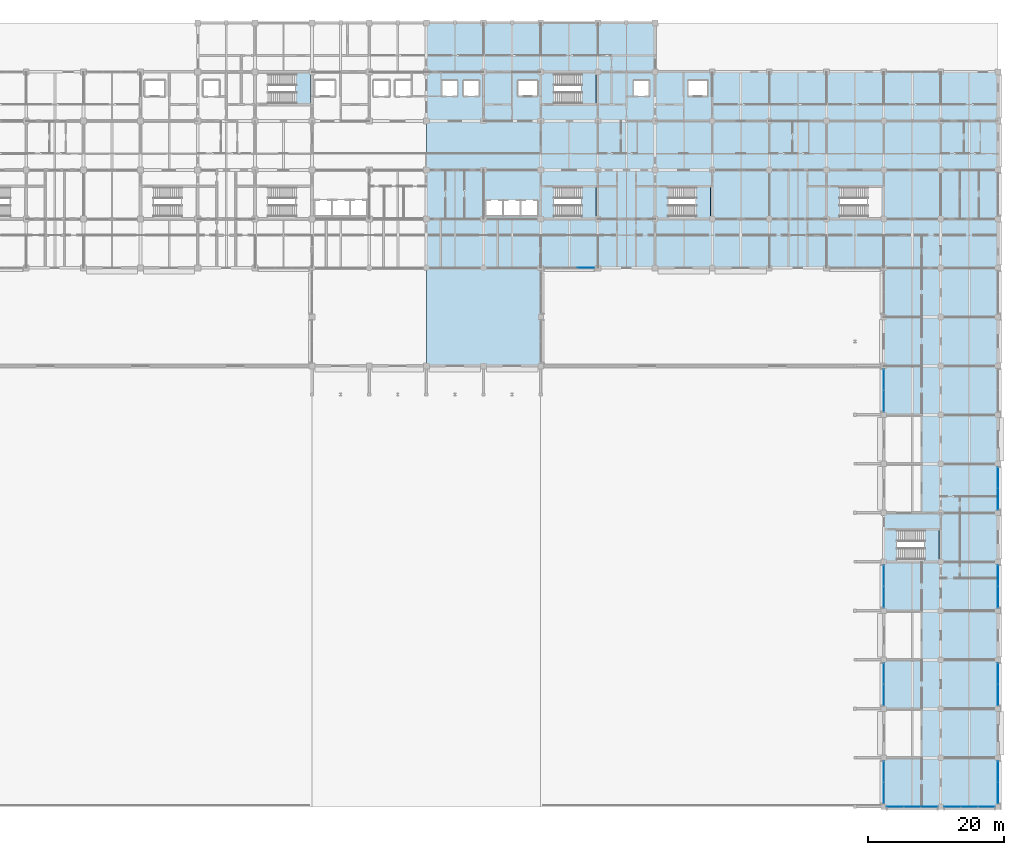
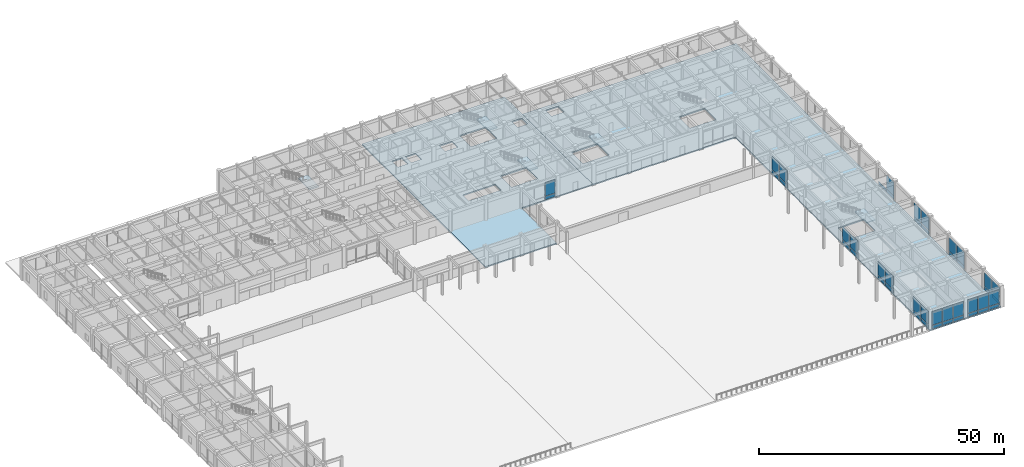
# One storey, part 35 of 73: 45 plates, 7 slabs, 16 elements without a shape of their own.
"""IFC4 building model written with IfcOpenShell, lengths in metres."""

from ifc_helpers import new_model, si_unit, direction, frame, origin, origin_2d, place, context, subcontext, project, spatial, polyline, rectangle, outline, extrude, material, layer, layer_set, type_object, element, aggregate, save


model = new_model("IFC4")

# Units and contexts
model_context = context("Model", 3, precision=1e-05, world=origin(), true_north=direction((0.0, 1.0)))
body_context = subcontext(model_context, "Body", "Model", "MODEL_VIEW")
ifc_project = project(units=[si_unit("LENGTHUNIT", "METRE"), si_unit("AREAUNIT", "SQUARE_METRE"), si_unit("VOLUMEUNIT", "CUBIC_METRE"), si_unit("PLANEANGLEUNIT", "RADIAN"), si_unit("MASSUNIT", "GRAM", prefix="KILO")], contexts=[model_context])

# Site, building, storey
site_placement = place(None, origin())
site = spatial("IfcSite", under=ifc_project, at=site_placement, CompositionType="ELEMENT")
building_placement = place(site_placement, origin())
building = spatial("IfcBuilding", under=site, at=building_placement, Name="Chengyuan Square Courthouse", CompositionType="ELEMENT")
storey_placement = place(building_placement, origin())
storey = spatial("IfcBuildingStorey", under=building, at=storey_placement, Name="L01", CompositionType="ELEMENT", Elevation=0.0)

# Curtain wall, plates
ifc_material_1 = material(Name="Unitised Aluminium and Triple Low-E Glass", Category="aluminium")
ifc_layer_1 = layer(ifc_material_1, 0.159912109375)
ifc_layer_set_1 = layer_set([ifc_layer_1], Name="Unitised Aluminium and Triple Low-E Glass")
curtain_wall_type_1 = type_object("IfcCurtainWallType", Name="CW-01", PredefinedType="USERDEFINED", material=ifc_layer_set_1)
curtain_wall_1_placement = place(storey_placement, origin())
curtain_wall_1 = element("IfcCurtainWall", 1, at=curtain_wall_1_placement, inside=storey, type_object=curtain_wall_type_1, Name="Unitised Curtain Wall CW-L01-024", ObjectType="UNITISED CURTAIN WALL", PredefinedType="USERDEFINED")
ifc_material_2 = material(Name="Triple Low-E Insulating Glass", Category="glass")
ifc_layer_2 = layer(ifc_material_2, 0.02392578125)
ifc_layer_set_2 = layer_set([ifc_layer_2], Name="Triple Low-E Insulating Glass")
plate_type_1 = type_object("IfcPlateType", Name="CWP-01", PredefinedType="CURTAIN_PANEL", material=ifc_layer_set_2)
plate_1_placement = place(storey_placement, frame((107.485107421875, 79.199951171875, 0.06005859375), z_axis=(0.0, 0.0, 1.0), x_axis=(1.0, 0.0, 0.0)))
plate_1 = element("IfcPlate", 2, at=plate_1_placement, type_object=plate_type_1, Name="CW-01 panel 3.1", PredefinedType="CURTAIN_PANEL", context=body_context, shape_type="SweptSolid", body=[
    extrude(rectangle(XDim=2.409912109375, YDim=0.02392578125, at=origin_2d()), origin(), (0.0, 0.0, 1.0), 0.860107421875),
])
plate_2_placement = place(storey_placement, frame((107.485107421875, 79.199951171875, 0.97998046875), z_axis=(0.0, 0.0, 1.0), x_axis=(1.0, 0.0, 0.0)))
plate_2 = element("IfcPlate", 3, at=plate_2_placement, type_object=plate_type_1, Name="CW-01 panel 3.2", PredefinedType="CURTAIN_PANEL", context=body_context, shape_type="SweptSolid", body=[
    extrude(rectangle(XDim=2.409912109375, YDim=0.02392578125, at=origin_2d()), origin(), (0.0, 0.0, 1.0), 3.429931640625),
])
aggregate(curtain_wall_1, [plate_1, plate_2])

curtain_wall_2_placement = place(storey_placement, origin())
curtain_wall_2 = element("IfcCurtainWall", 4, at=curtain_wall_2_placement, inside=storey, type_object=curtain_wall_type_1, Name="Unitised Curtain Wall CW-L01-028", ObjectType="UNITISED CURTAIN WALL", PredefinedType="USERDEFINED")
plate_3_placement = place(storey_placement, frame((152.8984375, 0.0, 0.06005859375), z_axis=(0.0, 0.0, 1.0), x_axis=(1.0, 0.0, 0.0)))
plate_3 = element("IfcPlate", 5, at=plate_3_placement, type_object=plate_type_1, Name="CW-01 panel 1.1", PredefinedType="CURTAIN_PANEL", context=body_context, shape_type="SweptSolid", body=[
    extrude(rectangle(XDim=2.4267578125, YDim=0.02392578125, at=origin_2d()), origin(), (0.0, 0.0, 1.0), 0.860107421875),
])
plate_4_placement = place(storey_placement, frame((152.8984375, 0.0, 0.97998046875), z_axis=(0.0, 0.0, 1.0), x_axis=(1.0, 0.0, 0.0)))
plate_4 = element("IfcPlate", 6, at=plate_4_placement, type_object=plate_type_1, Name="CW-01 panel 1.2", PredefinedType="CURTAIN_PANEL", context=body_context, shape_type="SweptSolid", body=[
    extrude(rectangle(XDim=2.4267578125, YDim=0.02392578125, at=origin_2d()), origin(), (0.0, 0.0, 1.0), 3.429931640625),
])
plate_5_placement = place(storey_placement, frame((155.39990234375, 0.0, 0.06005859375), z_axis=(0.0, 0.0, 1.0), x_axis=(1.0, 0.0, 0.0)))
plate_5 = element("IfcPlate", 7, at=plate_5_placement, type_object=plate_type_1, Name="CW-01 panel 2.1", PredefinedType="CURTAIN_PANEL", context=body_context, shape_type="SweptSolid", body=[
    extrude(rectangle(XDim=2.456787109375, YDim=0.02392578125, at=origin_2d()), origin(), (0.0, 0.0, 1.0), 0.860107421875),
])
plate_6_placement = place(storey_placement, frame((155.39990234375, 0.0, 0.97998046875), z_axis=(0.0, 0.0, 1.0), x_axis=(1.0, 0.0, 0.0)))
plate_6 = element("IfcPlate", 8, at=plate_6_placement, type_object=plate_type_1, Name="CW-01 panel 2.2", PredefinedType="CURTAIN_PANEL", context=body_context, shape_type="SweptSolid", body=[
    extrude(rectangle(XDim=2.456787109375, YDim=0.02392578125, at=origin_2d()), origin(), (0.0, 0.0, 1.0), 3.429931640625),
])
plate_7_placement = place(storey_placement, frame((157.901611328125, 0.0, 0.06005859375), z_axis=(0.0, 0.0, 1.0), x_axis=(1.0, 0.0, 0.0)))
plate_7 = element("IfcPlate", 9, at=plate_7_placement, type_object=plate_type_1, Name="CW-01 panel 3.1", PredefinedType="CURTAIN_PANEL", context=body_context, shape_type="SweptSolid", body=[
    extrude(rectangle(XDim=2.4267578125, YDim=0.02392578125, at=origin_2d()), origin(), (0.0, 0.0, 1.0), 0.860107421875),
])
plate_8_placement = place(storey_placement, frame((157.901611328125, 0.0, 0.97998046875), z_axis=(0.0, 0.0, 1.0), x_axis=(1.0, 0.0, 0.0)))
plate_8 = element("IfcPlate", 10, at=plate_8_placement, type_object=plate_type_1, Name="CW-01 panel 3.2", PredefinedType="CURTAIN_PANEL", context=body_context, shape_type="SweptSolid", body=[
    extrude(rectangle(XDim=2.4267578125, YDim=0.02392578125, at=origin_2d()), origin(), (0.0, 0.0, 1.0), 3.429931640625),
])
aggregate(curtain_wall_2, [plate_3, plate_4, plate_5, plate_6, plate_7, plate_8])

curtain_wall_3_placement = place(storey_placement, origin())
curtain_wall_3 = element("IfcCurtainWall", 11, at=curtain_wall_3_placement, inside=storey, type_object=curtain_wall_type_1, Name="Unitised Curtain Wall CW-L01-035", ObjectType="UNITISED CURTAIN WALL", PredefinedType="USERDEFINED")
plate_9_placement = place(storey_placement, frame((161.29833984375, 0.0, 0.06005859375), z_axis=(0.0, 0.0, 1.0), x_axis=(1.0, 0.0, 0.0)))
plate_9 = element("IfcPlate", 12, at=plate_9_placement, type_object=plate_type_1, Name="CW-01 panel 1.1", PredefinedType="CURTAIN_PANEL", context=body_context, shape_type="SweptSolid", body=[
    extrude(rectangle(XDim=2.4267578125, YDim=0.02392578125, at=origin_2d()), origin(), (0.0, 0.0, 1.0), 0.860107421875),
])
plate_10_placement = place(storey_placement, frame((161.29833984375, 0.0, 0.97998046875), z_axis=(0.0, 0.0, 1.0), x_axis=(1.0, 0.0, 0.0)))
plate_10 = element("IfcPlate", 13, at=plate_10_placement, type_object=plate_type_1, Name="CW-01 panel 1.2", PredefinedType="CURTAIN_PANEL", context=body_context, shape_type="SweptSolid", body=[
    extrude(rectangle(XDim=2.4267578125, YDim=0.02392578125, at=origin_2d()), origin(), (0.0, 0.0, 1.0), 3.429931640625),
])
plate_11_placement = place(storey_placement, frame((163.800048828125, 0.0, 0.06005859375), z_axis=(0.0, 0.0, 1.0), x_axis=(1.0, 0.0, 0.0)))
plate_11 = element("IfcPlate", 14, at=plate_11_placement, type_object=plate_type_1, Name="CW-01 panel 2.1", PredefinedType="CURTAIN_PANEL", context=body_context, shape_type="SweptSolid", body=[
    extrude(rectangle(XDim=2.456787109375, YDim=0.02392578125, at=origin_2d()), origin(), (0.0, 0.0, 1.0), 0.860107421875),
])
plate_12_placement = place(storey_placement, frame((163.800048828125, 0.0, 0.97998046875), z_axis=(0.0, 0.0, 1.0), x_axis=(1.0, 0.0, 0.0)))
plate_12 = element("IfcPlate", 15, at=plate_12_placement, type_object=plate_type_1, Name="CW-01 panel 2.2", PredefinedType="CURTAIN_PANEL", context=body_context, shape_type="SweptSolid", body=[
    extrude(rectangle(XDim=2.456787109375, YDim=0.02392578125, at=origin_2d()), origin(), (0.0, 0.0, 1.0), 3.429931640625),
])
plate_13_placement = place(storey_placement, frame((166.3017578125, 0.0, 0.06005859375), z_axis=(0.0, 0.0, 1.0), x_axis=(1.0, 0.0, 0.0)))
plate_13 = element("IfcPlate", 16, at=plate_13_placement, type_object=plate_type_1, Name="CW-01 panel 3.1", PredefinedType="CURTAIN_PANEL", context=body_context, shape_type="SweptSolid", body=[
    extrude(rectangle(XDim=2.4267578125, YDim=0.02392578125, at=origin_2d()), origin(), (0.0, 0.0, 1.0), 0.860107421875),
])
plate_14_placement = place(storey_placement, frame((166.3017578125, 0.0, 0.97998046875), z_axis=(0.0, 0.0, 1.0), x_axis=(1.0, 0.0, 0.0)))
plate_14 = element("IfcPlate", 17, at=plate_14_placement, type_object=plate_type_1, Name="CW-01 panel 3.2", PredefinedType="CURTAIN_PANEL", context=body_context, shape_type="SweptSolid", body=[
    extrude(rectangle(XDim=2.4267578125, YDim=0.02392578125, at=origin_2d()), origin(), (0.0, 0.0, 1.0), 3.429931640625),
])
aggregate(curtain_wall_3, [plate_9, plate_10, plate_11, plate_12, plate_13, plate_14])

ifc_layer_3 = layer(ifc_material_1, 0.179931640625)
ifc_layer_set_3 = layer_set([ifc_layer_3], Name="Unitised Aluminium and Triple Low-E Glass")
curtain_wall_type_2 = type_object("IfcCurtainWallType", Name="CW-14", PredefinedType="USERDEFINED", material=ifc_layer_set_3)
curtain_wall_4_placement = place(storey_placement, origin())
curtain_wall_4 = element("IfcCurtainWall", 18, at=curtain_wall_4_placement, inside=storey, type_object=curtain_wall_type_2, Name="Unitised Curtain Wall CW-L01-029", ObjectType="UNITISED CURTAIN WALL", PredefinedType="USERDEFINED")
ifc_layer_4 = layer(ifc_material_2, 0.031982421875)
ifc_layer_set_4 = layer_set([ifc_layer_4], Name="Triple Low-E Insulating Glass")
plate_type_2 = type_object("IfcPlateType", Name="CWP-02", PredefinedType="CURTAIN_PANEL", material=ifc_layer_set_4)
plate_15_placement = place(storey_placement, frame((151.199951171875, 2.02880859375, 0.06494140625), z_axis=(0.0, 0.0, 1.0), x_axis=(0.0, 1.0, 0.0)))
plate_15 = element("IfcPlate", 19, at=plate_15_placement, type_object=plate_type_2, Name="CW-14 panel 1.1", PredefinedType="CURTAIN_PANEL", context=body_context, shape_type="SweptSolid", body=[
    extrude(rectangle(XDim=3.077392578125, YDim=0.031982421875, at=origin_2d()), origin(), (0.0, 0.0, 1.0), 0.8525390625),
])
plate_16_placement = place(storey_placement, frame((151.199951171875, 2.02880859375, 0.982421875), z_axis=(0.0, 0.0, 1.0), x_axis=(0.0, 1.0, 0.0)))
plate_16 = element("IfcPlate", 20, at=plate_16_placement, type_object=plate_type_2, Name="CW-14 panel 1.2", PredefinedType="CURTAIN_PANEL", context=body_context, shape_type="SweptSolid", body=[
    extrude(rectangle(XDim=3.077392578125, YDim=0.031982421875, at=origin_2d()), origin(), (0.0, 0.0, 1.0), 3.422607421875),
])
plate_17_placement = place(storey_placement, frame((151.199951171875, 5.171142578125, 0.06494140625), z_axis=(0.0, 0.0, 1.0), x_axis=(0.0, 1.0, 0.0)))
plate_17 = element("IfcPlate", 21, at=plate_17_placement, type_object=plate_type_2, Name="CW-14 panel 2.1", PredefinedType="CURTAIN_PANEL", context=body_context, shape_type="SweptSolid", body=[
    extrude(rectangle(XDim=3.077392578125, YDim=0.031982421875, at=origin_2d()), origin(), (0.0, 0.0, 1.0), 0.8525390625),
])
plate_18_placement = place(storey_placement, frame((151.199951171875, 5.171142578125, 0.982421875), z_axis=(0.0, 0.0, 1.0), x_axis=(0.0, 1.0, 0.0)))
plate_18 = element("IfcPlate", 22, at=plate_18_placement, type_object=plate_type_2, Name="CW-14 panel 2.2", PredefinedType="CURTAIN_PANEL", context=body_context, shape_type="SweptSolid", body=[
    extrude(rectangle(XDim=3.077392578125, YDim=0.031982421875, at=origin_2d()), origin(), (0.0, 0.0, 1.0), 3.422607421875),
])
aggregate(curtain_wall_4, [plate_15, plate_16, plate_17, plate_18])

curtain_wall_5_placement = place(storey_placement, origin())
curtain_wall_5 = element("IfcCurtainWall", 23, at=curtain_wall_5_placement, inside=storey, type_object=curtain_wall_type_2, Name="Unitised Curtain Wall CW-L01-030", ObjectType="UNITISED CURTAIN WALL", PredefinedType="USERDEFINED")
plate_19_placement = place(storey_placement, frame((151.199951171875, 16.4287109375, 0.06494140625), z_axis=(0.0, 0.0, 1.0), x_axis=(0.0, 1.0, 0.0)))
plate_19 = element("IfcPlate", 24, at=plate_19_placement, type_object=plate_type_2, Name="CW-14 panel 1.1", PredefinedType="CURTAIN_PANEL", context=body_context, shape_type="SweptSolid", body=[
    extrude(rectangle(XDim=3.077392578125, YDim=0.031982421875, at=origin_2d()), origin(), (0.0, 0.0, 1.0), 0.8525390625),
])
plate_20_placement = place(storey_placement, frame((151.199951171875, 16.4287109375, 0.982421875), z_axis=(0.0, 0.0, 1.0), x_axis=(0.0, 1.0, 0.0)))
plate_20 = element("IfcPlate", 25, at=plate_20_placement, type_object=plate_type_2, Name="CW-14 panel 1.2", PredefinedType="CURTAIN_PANEL", context=body_context, shape_type="SweptSolid", body=[
    extrude(rectangle(XDim=3.077392578125, YDim=0.031982421875, at=origin_2d()), origin(), (0.0, 0.0, 1.0), 3.422607421875),
])
plate_21_placement = place(storey_placement, frame((151.199951171875, 19.5712890625, 0.06494140625), z_axis=(0.0, 0.0, 1.0), x_axis=(0.0, 1.0, 0.0)))
plate_21 = element("IfcPlate", 26, at=plate_21_placement, type_object=plate_type_2, Name="CW-14 panel 2.1", PredefinedType="CURTAIN_PANEL", context=body_context, shape_type="SweptSolid", body=[
    extrude(rectangle(XDim=3.077392578125, YDim=0.031982421875, at=origin_2d()), origin(), (0.0, 0.0, 1.0), 0.8525390625),
])
plate_22_placement = place(storey_placement, frame((151.199951171875, 19.5712890625, 0.982421875), z_axis=(0.0, 0.0, 1.0), x_axis=(0.0, 1.0, 0.0)))
plate_22 = element("IfcPlate", 27, at=plate_22_placement, type_object=plate_type_2, Name="CW-14 panel 2.2", PredefinedType="CURTAIN_PANEL", context=body_context, shape_type="SweptSolid", body=[
    extrude(rectangle(XDim=3.077392578125, YDim=0.031982421875, at=origin_2d()), origin(), (0.0, 0.0, 1.0), 3.422607421875),
])
aggregate(curtain_wall_5, [plate_19, plate_20, plate_21, plate_22])

curtain_wall_6_placement = place(storey_placement, origin())
curtain_wall_6 = element("IfcCurtainWall", 28, at=curtain_wall_6_placement, inside=storey, type_object=curtain_wall_type_2, Name="Unitised Curtain Wall CW-L01-031", ObjectType="UNITISED CURTAIN WALL", PredefinedType="USERDEFINED")
plate_23_placement = place(storey_placement, frame((151.199951171875, 30.828857421875, 0.06494140625), z_axis=(0.0, 0.0, 1.0), x_axis=(0.0, 1.0, 0.0)))
plate_23 = element("IfcPlate", 29, at=plate_23_placement, type_object=plate_type_2, Name="CW-14 panel 1.1", PredefinedType="CURTAIN_PANEL", context=body_context, shape_type="SweptSolid", body=[
    extrude(rectangle(XDim=3.077392578125, YDim=0.031982421875, at=origin_2d()), origin(), (0.0, 0.0, 1.0), 0.8525390625),
])
plate_24_placement = place(storey_placement, frame((151.199951171875, 30.828857421875, 0.982421875), z_axis=(0.0, 0.0, 1.0), x_axis=(0.0, 1.0, 0.0)))
plate_24 = element("IfcPlate", 30, at=plate_24_placement, type_object=plate_type_2, Name="CW-14 panel 1.2", PredefinedType="CURTAIN_PANEL", context=body_context, shape_type="SweptSolid", body=[
    extrude(rectangle(XDim=3.077392578125, YDim=0.031982421875, at=origin_2d()), origin(), (0.0, 0.0, 1.0), 3.422607421875),
])
plate_25_placement = place(storey_placement, frame((151.199951171875, 33.97119140625, 0.06494140625), z_axis=(0.0, 0.0, 1.0), x_axis=(0.0, 1.0, 0.0)))
plate_25 = element("IfcPlate", 31, at=plate_25_placement, type_object=plate_type_2, Name="CW-14 panel 2.1", PredefinedType="CURTAIN_PANEL", context=body_context, shape_type="SweptSolid", body=[
    extrude(rectangle(XDim=3.077392578125, YDim=0.031982421875, at=origin_2d()), origin(), (0.0, 0.0, 1.0), 0.8525390625),
])
plate_26_placement = place(storey_placement, frame((151.199951171875, 33.97119140625, 0.982421875), z_axis=(0.0, 0.0, 1.0), x_axis=(0.0, 1.0, 0.0)))
plate_26 = element("IfcPlate", 32, at=plate_26_placement, type_object=plate_type_2, Name="CW-14 panel 2.2", PredefinedType="CURTAIN_PANEL", context=body_context, shape_type="SweptSolid", body=[
    extrude(rectangle(XDim=3.077392578125, YDim=0.031982421875, at=origin_2d()), origin(), (0.0, 0.0, 1.0), 3.422607421875),
])
aggregate(curtain_wall_6, [plate_23, plate_24, plate_25, plate_26])

curtain_wall_7_placement = place(storey_placement, origin())
curtain_wall_7 = element("IfcCurtainWall", 33, at=curtain_wall_7_placement, inside=storey, type_object=curtain_wall_type_2, Name="Unitised Curtain Wall CW-L01-032", ObjectType="UNITISED CURTAIN WALL", PredefinedType="USERDEFINED")
plate_27_placement = place(storey_placement, frame((151.199951171875, 59.628662109375, 0.06494140625), z_axis=(0.0, 0.0, 1.0), x_axis=(0.0, 1.0, 0.0)))
plate_27 = element("IfcPlate", 34, at=plate_27_placement, type_object=plate_type_2, Name="CW-14 panel 1.1", PredefinedType="CURTAIN_PANEL", context=body_context, shape_type="SweptSolid", body=[
    extrude(rectangle(XDim=3.077392578125, YDim=0.031982421875, at=origin_2d()), origin(), (0.0, 0.0, 1.0), 0.8525390625),
])
plate_28_placement = place(storey_placement, frame((151.199951171875, 59.628662109375, 0.982421875), z_axis=(0.0, 0.0, 1.0), x_axis=(0.0, 1.0, 0.0)))
plate_28 = element("IfcPlate", 35, at=plate_28_placement, type_object=plate_type_2, Name="CW-14 panel 1.2", PredefinedType="CURTAIN_PANEL", context=body_context, shape_type="SweptSolid", body=[
    extrude(rectangle(XDim=3.077392578125, YDim=0.031982421875, at=origin_2d()), origin(), (0.0, 0.0, 1.0), 3.422607421875),
])
plate_29_placement = place(storey_placement, frame((151.199951171875, 62.771240234375, 0.06494140625), z_axis=(0.0, 0.0, 1.0), x_axis=(0.0, 1.0, 0.0)))
plate_29 = element("IfcPlate", 36, at=plate_29_placement, type_object=plate_type_2, Name="CW-14 panel 2.1", PredefinedType="CURTAIN_PANEL", context=body_context, shape_type="SweptSolid", body=[
    extrude(rectangle(XDim=3.077392578125, YDim=0.031982421875, at=origin_2d()), origin(), (0.0, 0.0, 1.0), 0.8525390625),
])
plate_30_placement = place(storey_placement, frame((151.199951171875, 62.771240234375, 0.982421875), z_axis=(0.0, 0.0, 1.0), x_axis=(0.0, 1.0, 0.0)))
plate_30 = element("IfcPlate", 37, at=plate_30_placement, type_object=plate_type_2, Name="CW-14 panel 2.2", PredefinedType="CURTAIN_PANEL", context=body_context, shape_type="SweptSolid", body=[
    extrude(rectangle(XDim=3.077392578125, YDim=0.031982421875, at=origin_2d()), origin(), (0.0, 0.0, 1.0), 3.422607421875),
])
aggregate(curtain_wall_7, [plate_27, plate_28, plate_29, plate_30])

curtain_wall_8_placement = place(storey_placement, origin())
curtain_wall_8 = element("IfcCurtainWall", 38, at=curtain_wall_8_placement, inside=storey, type_object=curtain_wall_type_2, Name="Unitised Curtain Wall CW-L01-036", ObjectType="UNITISED CURTAIN WALL", PredefinedType="USERDEFINED")
plate_31_placement = place(storey_placement, frame((168.0, 2.02880859375, 0.06494140625), z_axis=(0.0, 0.0, 1.0), x_axis=(0.0, 1.0, 0.0)))
plate_31 = element("IfcPlate", 39, at=plate_31_placement, type_object=plate_type_2, Name="CW-14 panel 1.1", PredefinedType="CURTAIN_PANEL", context=body_context, shape_type="SweptSolid", body=[
    extrude(rectangle(XDim=3.077392578125, YDim=0.031982421875, at=origin_2d()), origin(), (0.0, 0.0, 1.0), 0.8525390625),
])
plate_32_placement = place(storey_placement, frame((168.0, 2.02880859375, 0.982421875), z_axis=(0.0, 0.0, 1.0), x_axis=(0.0, 1.0, 0.0)))
plate_32 = element("IfcPlate", 40, at=plate_32_placement, type_object=plate_type_2, Name="CW-14 panel 1.2", PredefinedType="CURTAIN_PANEL", context=body_context, shape_type="SweptSolid", body=[
    extrude(rectangle(XDim=3.077392578125, YDim=0.031982421875, at=origin_2d()), origin(), (0.0, 0.0, 1.0), 3.422607421875),
])
plate_33_placement = place(storey_placement, frame((168.0, 5.171142578125, 0.06494140625), z_axis=(0.0, 0.0, 1.0), x_axis=(0.0, 1.0, 0.0)))
plate_33 = element("IfcPlate", 41, at=plate_33_placement, type_object=plate_type_2, Name="CW-14 panel 2.1", PredefinedType="CURTAIN_PANEL", context=body_context, shape_type="SweptSolid", body=[
    extrude(rectangle(XDim=3.077392578125, YDim=0.031982421875, at=origin_2d()), origin(), (0.0, 0.0, 1.0), 0.8525390625),
])
plate_34_placement = place(storey_placement, frame((168.0, 5.171142578125, 0.982421875), z_axis=(0.0, 0.0, 1.0), x_axis=(0.0, 1.0, 0.0)))
plate_34 = element("IfcPlate", 42, at=plate_34_placement, type_object=plate_type_2, Name="CW-14 panel 2.2", PredefinedType="CURTAIN_PANEL", context=body_context, shape_type="SweptSolid", body=[
    extrude(rectangle(XDim=3.077392578125, YDim=0.031982421875, at=origin_2d()), origin(), (0.0, 0.0, 1.0), 3.422607421875),
])
aggregate(curtain_wall_8, [plate_31, plate_32, plate_33, plate_34])

curtain_wall_9_placement = place(storey_placement, origin())
curtain_wall_9 = element("IfcCurtainWall", 43, at=curtain_wall_9_placement, inside=storey, type_object=curtain_wall_type_2, Name="Unitised Curtain Wall CW-L01-037", ObjectType="UNITISED CURTAIN WALL", PredefinedType="USERDEFINED")
plate_35_placement = place(storey_placement, frame((168.0, 16.4287109375, 0.06494140625), z_axis=(0.0, 0.0, 1.0), x_axis=(0.0, 1.0, 0.0)))
plate_35 = element("IfcPlate", 44, at=plate_35_placement, type_object=plate_type_2, Name="CW-14 panel 1.1", PredefinedType="CURTAIN_PANEL", context=body_context, shape_type="SweptSolid", body=[
    extrude(rectangle(XDim=3.077392578125, YDim=0.031982421875, at=origin_2d()), origin(), (0.0, 0.0, 1.0), 0.8525390625),
])
plate_36_placement = place(storey_placement, frame((168.0, 16.4287109375, 0.982421875), z_axis=(0.0, 0.0, 1.0), x_axis=(0.0, 1.0, 0.0)))
plate_36 = element("IfcPlate", 45, at=plate_36_placement, type_object=plate_type_2, Name="CW-14 panel 1.2", PredefinedType="CURTAIN_PANEL", context=body_context, shape_type="SweptSolid", body=[
    extrude(rectangle(XDim=3.077392578125, YDim=0.031982421875, at=origin_2d()), origin(), (0.0, 0.0, 1.0), 3.422607421875),
])
plate_37_placement = place(storey_placement, frame((168.0, 19.5712890625, 0.06494140625), z_axis=(0.0, 0.0, 1.0), x_axis=(0.0, 1.0, 0.0)))
plate_37 = element("IfcPlate", 46, at=plate_37_placement, type_object=plate_type_2, Name="CW-14 panel 2.1", PredefinedType="CURTAIN_PANEL", context=body_context, shape_type="SweptSolid", body=[
    extrude(rectangle(XDim=3.077392578125, YDim=0.031982421875, at=origin_2d()), origin(), (0.0, 0.0, 1.0), 0.8525390625),
])
plate_38_placement = place(storey_placement, frame((168.0, 19.5712890625, 0.982421875), z_axis=(0.0, 0.0, 1.0), x_axis=(0.0, 1.0, 0.0)))
plate_38 = element("IfcPlate", 47, at=plate_38_placement, type_object=plate_type_2, Name="CW-14 panel 2.2", PredefinedType="CURTAIN_PANEL", context=body_context, shape_type="SweptSolid", body=[
    extrude(rectangle(XDim=3.077392578125, YDim=0.031982421875, at=origin_2d()), origin(), (0.0, 0.0, 1.0), 3.422607421875),
])
aggregate(curtain_wall_9, [plate_35, plate_36, plate_37, plate_38])

curtain_wall_10_placement = place(storey_placement, origin())
curtain_wall_10 = element("IfcCurtainWall", 48, at=curtain_wall_10_placement, inside=storey, type_object=curtain_wall_type_2, Name="Unitised Curtain Wall CW-L01-038", ObjectType="UNITISED CURTAIN WALL", PredefinedType="USERDEFINED")
plate_39_placement = place(storey_placement, frame((168.0, 30.828857421875, 0.06494140625), z_axis=(0.0, 0.0, 1.0), x_axis=(0.0, 1.0, 0.0)))
plate_39 = element("IfcPlate", 49, at=plate_39_placement, type_object=plate_type_2, Name="CW-14 panel 1.1", PredefinedType="CURTAIN_PANEL", context=body_context, shape_type="SweptSolid", body=[
    extrude(rectangle(XDim=3.077392578125, YDim=0.031982421875, at=origin_2d()), origin(), (0.0, 0.0, 1.0), 0.8525390625),
])
plate_40_placement = place(storey_placement, frame((168.0, 30.828857421875, 0.982421875), z_axis=(0.0, 0.0, 1.0), x_axis=(0.0, 1.0, 0.0)))
plate_40 = element("IfcPlate", 50, at=plate_40_placement, type_object=plate_type_2, Name="CW-14 panel 1.2", PredefinedType="CURTAIN_PANEL", context=body_context, shape_type="SweptSolid", body=[
    extrude(rectangle(XDim=3.077392578125, YDim=0.031982421875, at=origin_2d()), origin(), (0.0, 0.0, 1.0), 3.422607421875),
])
plate_41_placement = place(storey_placement, frame((168.0, 33.97119140625, 0.06494140625), z_axis=(0.0, 0.0, 1.0), x_axis=(0.0, 1.0, 0.0)))
plate_41 = element("IfcPlate", 51, at=plate_41_placement, type_object=plate_type_2, Name="CW-14 panel 2.1", PredefinedType="CURTAIN_PANEL", context=body_context, shape_type="SweptSolid", body=[
    extrude(rectangle(XDim=3.077392578125, YDim=0.031982421875, at=origin_2d()), origin(), (0.0, 0.0, 1.0), 0.8525390625),
])
plate_42_placement = place(storey_placement, frame((168.0, 33.97119140625, 0.982421875), z_axis=(0.0, 0.0, 1.0), x_axis=(0.0, 1.0, 0.0)))
plate_42 = element("IfcPlate", 52, at=plate_42_placement, type_object=plate_type_2, Name="CW-14 panel 2.2", PredefinedType="CURTAIN_PANEL", context=body_context, shape_type="SweptSolid", body=[
    extrude(rectangle(XDim=3.077392578125, YDim=0.031982421875, at=origin_2d()), origin(), (0.0, 0.0, 1.0), 3.422607421875),
])
aggregate(curtain_wall_10, [plate_39, plate_40, plate_41, plate_42])

curtain_wall_11_placement = place(storey_placement, origin())
curtain_wall_11 = element("IfcCurtainWall", 53, at=curtain_wall_11_placement, inside=storey, type_object=curtain_wall_type_2, Name="Unitised Curtain Wall CW-L01-039", ObjectType="UNITISED CURTAIN WALL", PredefinedType="USERDEFINED")
plate_43_placement = place(storey_placement, frame((168.0, 45.228759765625, 0.06494140625), z_axis=(0.0, 0.0, 1.0), x_axis=(0.0, 1.0, 0.0)))
plate_43 = element("IfcPlate", 54, at=plate_43_placement, type_object=plate_type_2, Name="CW-14 panel 1.1", PredefinedType="CURTAIN_PANEL", context=body_context, shape_type="SweptSolid", body=[
    extrude(rectangle(XDim=3.077392578125, YDim=0.031982421875, at=origin_2d()), origin(), (0.0, 0.0, 1.0), 0.8525390625),
])
plate_44_placement = place(storey_placement, frame((168.0, 45.228759765625, 0.982421875), z_axis=(0.0, 0.0, 1.0), x_axis=(0.0, 1.0, 0.0)))
plate_44 = element("IfcPlate", 55, at=plate_44_placement, type_object=plate_type_2, Name="CW-14 panel 1.2", PredefinedType="CURTAIN_PANEL", context=body_context, shape_type="SweptSolid", body=[
    extrude(rectangle(XDim=3.077392578125, YDim=0.031982421875, at=origin_2d()), origin(), (0.0, 0.0, 1.0), 3.422607421875),
])
plate_45_placement = place(storey_placement, frame((168.0, 48.371337890625, 0.06494140625), z_axis=(0.0, 0.0, 1.0), x_axis=(0.0, 1.0, 0.0)))
plate_45 = element("IfcPlate", 56, at=plate_45_placement, type_object=plate_type_2, Name="CW-14 panel 2.1", PredefinedType="CURTAIN_PANEL", context=body_context, shape_type="SweptSolid", body=[
    extrude(rectangle(XDim=3.077392578125, YDim=0.031982421875, at=origin_2d()), origin(), (0.0, 0.0, 1.0), 0.8525390625),
])
aggregate(curtain_wall_11, [plate_43, plate_44, plate_45])

# Slabs
ifc_material_3 = material(Name="Concrete C40", Category="concrete")
ifc_layer_5 = layer(ifc_material_3, 0.300048828125)
ifc_layer_set_5 = layer_set([ifc_layer_5], Name="Concrete C40")
slab_type_1 = type_object("IfcSlabType", Name="SL-L01", PredefinedType="FLOOR", material=ifc_layer_set_5)
slab_1_placement = place(storey_placement, frame((0.0, 0.0, -0.300048828125)))
element("IfcSlab", 57, at=slab_1_placement, inside=storey, type_object=slab_type_1, Name="Suspended Floor Slab SL-L01-03", PredefinedType="FLOOR", context=body_context, shape_type="SweptSolid", body=[
    extrude(outline(polyline([(92.39990234375, 115.199951171875), (100.800048828125, 115.199951171875), (109.199951171875, 115.199951171875), (117.60009765625, 115.199951171875), (117.60009765625, 108.0), (117.60009765625, 79.199951171875), (109.199951171875, 79.199951171875), (100.800048828125, 79.199951171875), (100.800048828125, 72.0), (100.800048828125, 64.800048828125), (92.39990234375, 64.800048828125), (84.0, 64.800048828125), (84.0, 115.199951171875), (92.39990234375, 115.199951171875)]), holes=[polyline([(95.25, 89.199951171875), (92.699951171875, 89.199951171875), (92.699951171875, 86.800048828125), (95.25, 86.800048828125), (97.85009765625, 86.800048828125), (100.39990234375, 86.800048828125), (100.39990234375, 89.199951171875), (97.85009765625, 89.199951171875), (95.25, 89.199951171875)]), polyline([(108.89990234375, 91.199951171875), (102.75, 91.199951171875), (102.75, 86.60009765625), (108.89990234375, 86.60009765625), (108.89990234375, 91.199951171875)]), polyline([(108.89990234375, 107.800048828125), (102.75, 107.800048828125), (102.75, 103.199951171875), (108.89990234375, 103.199951171875), (108.89990234375, 107.800048828125)]), polyline([(88.60009765625, 106.800048828125), (86.199951171875, 106.800048828125), (86.199951171875, 104.39990234375), (88.60009765625, 104.39990234375), (88.60009765625, 106.800048828125)]), polyline([(91.800048828125, 106.800048828125), (89.39990234375, 106.800048828125), (89.39990234375, 104.39990234375), (91.800048828125, 104.39990234375), (91.800048828125, 106.800048828125)]), polyline([(100.39990234375, 106.800048828125), (97.39990234375, 106.800048828125), (97.39990234375, 104.39990234375), (100.39990234375, 104.39990234375), (100.39990234375, 106.800048828125)]), polyline([(116.800048828125, 106.800048828125), (114.39990234375, 106.800048828125), (114.39990234375, 104.39990234375), (116.800048828125, 104.39990234375), (116.800048828125, 106.800048828125)])]), origin(), (0.0, 0.0, 1.0), 0.300048828125),
])
slab_2_placement = place(storey_placement, frame((0.0, 0.0, -0.300048828125)))
element("IfcSlab", 58, at=slab_2_placement, inside=storey, type_object=slab_type_1, Name="Suspended Floor Slab SL-L01-04", PredefinedType="FLOOR", context=body_context, shape_type="SweptSolid", body=[
    extrude(outline(polyline([(126.0, 108.0), (134.39990234375, 108.0), (142.800048828125, 108.0), (151.199951171875, 108.0), (159.60009765625, 108.0), (168.0, 108.0), (168.0, 100.800048828125), (168.0, 93.60009765625), (168.0, 86.39990234375), (168.0, 79.199951171875), (168.0, 72.0), (168.0, 64.800048828125), (168.0, 57.60009765625), (168.0, 50.39990234375), (168.0, 43.199951171875), (168.0, 36.0), (168.0, 28.800048828125), (168.0, 21.60009765625), (168.0, 14.39990234375), (168.0, 7.199951171875), (168.0, 0.0), (159.60009765625, 0.0), (151.199951171875, 0.0), (151.199951171875, 7.199951171875), (151.199951171875, 14.39990234375), (151.199951171875, 21.60009765625), (151.199951171875, 28.800048828125), (151.199951171875, 36.0), (151.199951171875, 43.199951171875), (151.199951171875, 50.39990234375), (151.199951171875, 57.60009765625), (151.199951171875, 64.800048828125), (151.199951171875, 72.0), (151.199951171875, 79.199951171875), (142.800048828125, 79.199951171875), (134.39990234375, 79.199951171875), (126.0, 79.199951171875), (117.60009765625, 79.199951171875), (117.60009765625, 108.0), (126.0, 108.0)]), holes=[polyline([(159.300048828125, 40.800048828125), (153.14990234375, 40.800048828125), (153.14990234375, 36.199951171875), (159.300048828125, 36.199951171875), (159.300048828125, 40.800048828125)]), polyline([(125.699951171875, 91.199951171875), (119.550048828125, 91.199951171875), (119.550048828125, 86.60009765625), (125.699951171875, 86.60009765625), (125.699951171875, 91.199951171875)]), polyline([(144.75, 91.199951171875), (144.75, 86.60009765625), (150.89990234375, 86.60009765625), (150.89990234375, 91.199951171875), (144.75, 91.199951171875)]), polyline([(125.39990234375, 106.800048828125), (122.39990234375, 106.800048828125), (122.39990234375, 104.39990234375), (125.39990234375, 104.39990234375), (125.39990234375, 106.800048828125)])]), origin(), (0.0, 0.0, 1.0), 0.300048828125),
])

# Stair, slab
stair_type_1 = type_object("IfcStairType", Name="ST-TYPE-01", PredefinedType="HALF_TURN_STAIR", material=ifc_material_3)
stair_1_placement = place(storey_placement, origin())
stair_1 = element("IfcStair", 59, at=stair_1_placement, inside=storey, type_object=stair_type_1, Name="Smoke-Proof Exit Stair ST-1 (L01 to L02)", PredefinedType="HALF_TURN_STAIR")
ifc_layer_6 = layer(ifc_material_3, 0.18994140625)
ifc_layer_set_6 = layer_set([ifc_layer_6], Name="Concrete C40")
slab_type_2 = type_object("IfcSlabType", Name="SL-LND1", PredefinedType="LANDING", material=ifc_layer_set_6)
slab_3_placement = place(storey_placement, frame((0.0, 0.0, 2.510009765625)))
slab_3 = element("IfcSlab", 60, at=slab_3_placement, type_object=slab_type_2, Name="ST-1 landing 1", PredefinedType="LANDING", context=body_context, shape_type="SweptSolid", body=[
    extrude(outline(polyline([(64.72998046875, 103.159912109375), (66.93994140625, 103.159912109375), (66.93994140625, 107.840087890625), (64.72998046875, 107.840087890625), (64.72998046875, 103.159912109375)])), origin(), (0.0, 0.0, 1.0), 0.18994140625),
])
aggregate(stair_1, [slab_3])

stair_type_2 = type_object("IfcStairType", Name="ST-TYPE-02", PredefinedType="HALF_TURN_STAIR", material=ifc_material_3)
stair_2_placement = place(storey_placement, origin())
stair_2 = element("IfcStair", 61, at=stair_2_placement, inside=storey, type_object=stair_type_2, Name="Smoke-Proof Exit Stair ST-2 (L01 to L02)", PredefinedType="HALF_TURN_STAIR")
slab_4_placement = place(storey_placement, frame((0.0, 0.0, 2.510009765625)))
slab_4 = element("IfcSlab", 62, at=slab_4_placement, type_object=slab_type_2, Name="ST-2 landing 1", PredefinedType="LANDING", context=body_context, shape_type="SweptSolid", body=[
    extrude(outline(polyline([(106.72998046875, 103.159912109375), (108.93994140625, 103.159912109375), (108.93994140625, 107.840087890625), (106.72998046875, 107.840087890625), (106.72998046875, 103.159912109375)])), origin(), (0.0, 0.0, 1.0), 0.18994140625),
])
aggregate(stair_2, [slab_4])

stair_type_3 = type_object("IfcStairType", Name="ST-TYPE-04", PredefinedType="HALF_TURN_STAIR", material=ifc_material_3)
stair_3_placement = place(storey_placement, origin())
stair_3 = element("IfcStair", 63, at=stair_3_placement, inside=storey, type_object=stair_type_3, Name="Smoke-Proof Exit Stair ST-4 (L01 to L02)", PredefinedType="HALF_TURN_STAIR")
slab_5_placement = place(storey_placement, frame((0.0, 0.0, 2.510009765625)))
slab_5 = element("IfcSlab", 64, at=slab_5_placement, type_object=slab_type_2, Name="ST-4 landing 1", PredefinedType="LANDING", context=body_context, shape_type="SweptSolid", body=[
    extrude(outline(polyline([(106.72998046875, 86.56005859375), (108.93994140625, 86.56005859375), (108.93994140625, 91.239990234375), (106.72998046875, 91.239990234375), (106.72998046875, 86.56005859375)])), origin(), (0.0, 0.0, 1.0), 0.18994140625),
])
aggregate(stair_3, [slab_5])

stair_type_4 = type_object("IfcStairType", Name="ST-TYPE-06", PredefinedType="HALF_TURN_STAIR", material=ifc_material_3)
stair_4_placement = place(storey_placement, origin())
stair_4 = element("IfcStair", 65, at=stair_4_placement, inside=storey, type_object=stair_type_4, Name="Smoke-Proof Exit Stair ST-6 (L01 to L02)", PredefinedType="HALF_TURN_STAIR")
slab_6_placement = place(storey_placement, frame((0.0, 0.0, 2.510009765625)))
slab_6 = element("IfcSlab", 66, at=slab_6_placement, type_object=slab_type_2, Name="ST-6 landing 1", PredefinedType="LANDING", context=body_context, shape_type="SweptSolid", body=[
    extrude(outline(polyline([(123.530029296875, 86.56005859375), (125.739990234375, 86.56005859375), (125.739990234375, 91.239990234375), (123.530029296875, 91.239990234375), (123.530029296875, 86.56005859375)])), origin(), (0.0, 0.0, 1.0), 0.18994140625),
])
aggregate(stair_4, [slab_6])

stair_type_5 = type_object("IfcStairType", Name="ST-TYPE-08", PredefinedType="HALF_TURN_STAIR", material=ifc_material_3)
stair_5_placement = place(storey_placement, origin())
stair_5 = element("IfcStair", 67, at=stair_5_placement, inside=storey, type_object=stair_type_5, Name="Smoke-Proof Exit Stair ST-8 (L01 to L02)", PredefinedType="HALF_TURN_STAIR")
slab_7_placement = place(storey_placement, frame((0.0, 0.0, 2.510009765625)))
slab_7 = element("IfcSlab", 68, at=slab_7_placement, type_object=slab_type_2, Name="ST-8 landing 1", PredefinedType="LANDING", context=body_context, shape_type="SweptSolid", body=[
    extrude(outline(polyline([(157.1298828125, 36.159912109375), (159.340087890625, 36.159912109375), (159.340087890625, 40.840087890625), (157.1298828125, 40.840087890625), (157.1298828125, 36.159912109375)])), origin(), (0.0, 0.0, 1.0), 0.18994140625),
])
aggregate(stair_5, [slab_7])

save(model, "model.ifc")
